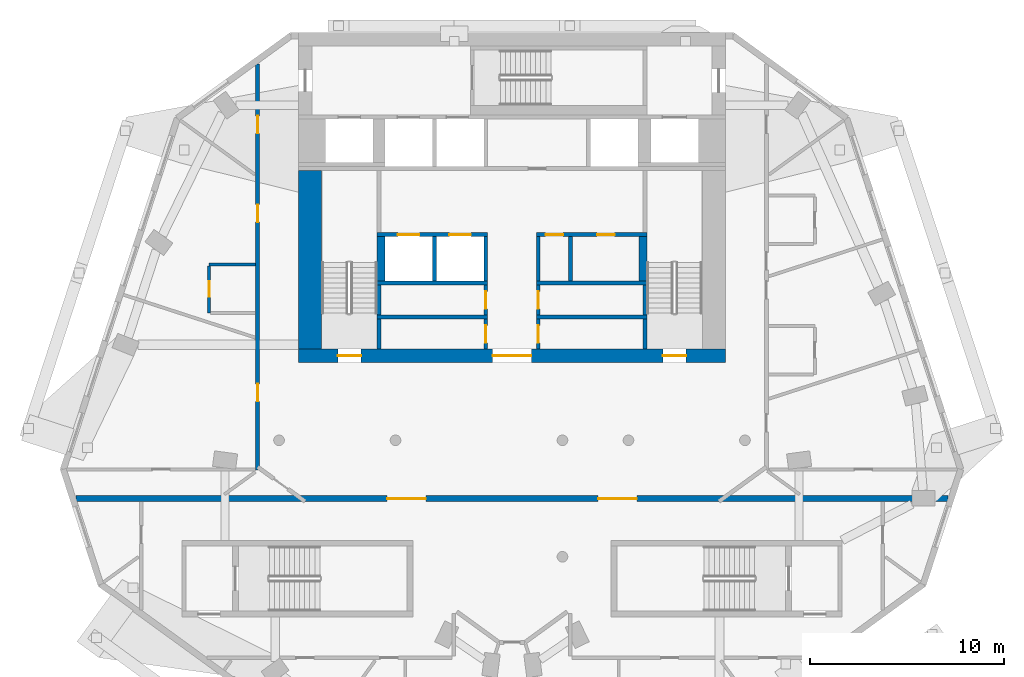
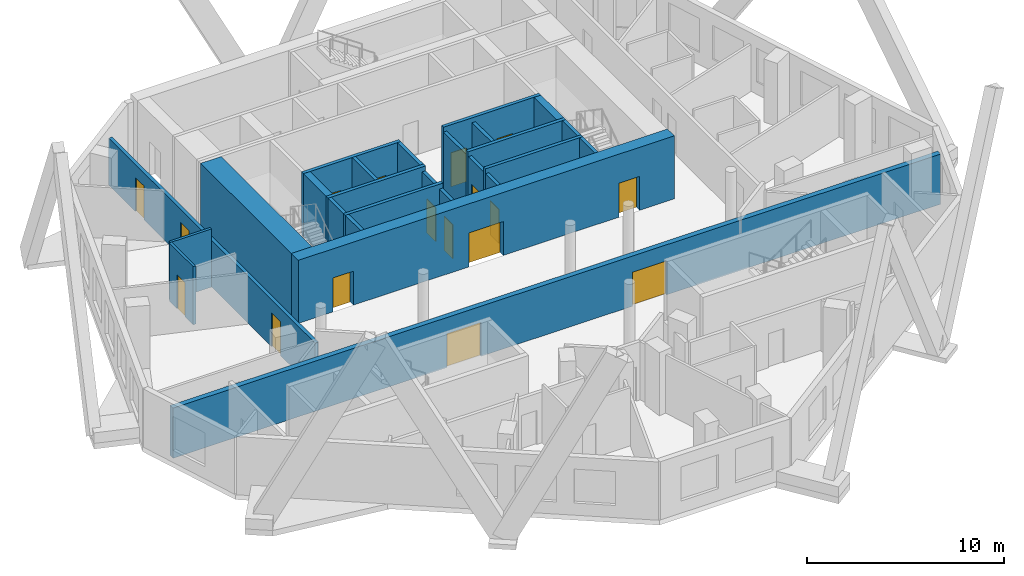
# One storey, part 4 of 9: 26 walls, 17 doors, 17 openings.
"""IFC4 building model written with IfcOpenShell, lengths in metres."""

from ifc_helpers import new_model, si_unit, direction, frame, frame_2d, origin, place, context, subcontext, project, spatial, rectangle, extrude, material, layer, layer_set, type_object, element, fill, save


model = new_model("IFC4")

# Units and contexts
model_context = context("Model", 3, precision=1e-05, world=origin(), true_north=direction((0.0, 1.0)))
body_context = subcontext(model_context, "Body", "Model", "MODEL_VIEW")
ifc_project = project(units=[si_unit("LENGTHUNIT", "METRE"), si_unit("AREAUNIT", "SQUARE_METRE"), si_unit("VOLUMEUNIT", "CUBIC_METRE"), si_unit("PLANEANGLEUNIT", "RADIAN"), si_unit("MASSUNIT", "GRAM", prefix="KILO")], contexts=[model_context])

# Site, building, storey
site_placement = place(None, origin())
site = spatial("IfcSite", under=ifc_project, at=site_placement, CompositionType="ELEMENT")
building_placement = place(site_placement, origin())
building = spatial("IfcBuilding", under=site, at=building_placement, Name="White Candle Pilgrim Tower", CompositionType="ELEMENT")
storey_placement = place(building_placement, frame((0.0, 0.0, 271.699951171875)))
storey = spatial("IfcBuildingStorey", under=building, at=storey_placement, Name="L64", CompositionType="ELEMENT", Elevation=271.699951171875)

# Wall, openings, doors
ifc_material_1 = material(Name="Gypsum board on steel studs", Category="steel")
ifc_layer_1 = layer(ifc_material_1, 0.199951171875)
ifc_layer_set_1 = layer_set([ifc_layer_1], Name="Corridor wall 200 mm EI 45")
wall_type_1 = type_object("IfcWallType", Name="Corridor wall 200 mm EI 45", PredefinedType="PARTITIONING", material=ifc_layer_set_1)
wall_1_placement = place(storey_placement, frame((56.89990234375, 65.476806640625, 0.0), z_axis=(0.0, 0.0, 1.0), x_axis=(0.0, 1.0, 0.0)))
wall_1 = element("IfcWall", 1, at=wall_1_placement, inside=storey, type_object=wall_type_1, Name="WL-L64-P003", PredefinedType="PARTITIONING", context=body_context, shape_type="SweptSolid", body=[
    extrude(rectangle(XDim=20.91943359375, YDim=0.199951171875, at=frame_2d((10.459716796875, 0.0))), origin(), (0.0, 0.0, 1.0), 2.900146484375),
])
opening_1_placement = place(wall_1_placement, frame((3.533935546875, 0.0, 0.0)))
opening_1 = element("IfcOpeningElement", 2, at=opening_1_placement, cuts=wall_1, Name="Opening T20-114", PredefinedType="OPENING", context=body_context, shape_type="SweptSolid", body=[
    extrude(rectangle(XDim=0.89990234375, YDim=2.10009765625, at=frame_2d((0.449951171875, 1.050048828125))), frame((0.0, 0.10986328125, 0.0), z_axis=(0.0, -1.0, 0.0), x_axis=(1.0, 0.0, 0.0)), (0.0, 0.0, 1.0), 0.219970703125),
])
opening_2_placement = place(wall_1_placement, frame((12.76806640625, 0.0, 0.0)))
opening_2 = element("IfcOpeningElement", 3, at=opening_2_placement, cuts=wall_1, Name="Opening T20-115", PredefinedType="OPENING", context=body_context, shape_type="SweptSolid", body=[
    extrude(rectangle(XDim=0.89990234375, YDim=2.10009765625, at=frame_2d((0.449951171875, 1.050048828125))), frame((0.0, 0.10986328125, 0.0), z_axis=(0.0, -1.0, 0.0), x_axis=(1.0, 0.0, 0.0)), (0.0, 0.0, 1.0), 0.219970703125),
])
opening_3_placement = place(wall_1_placement, frame((17.331298828125, 0.0, 0.0)))
opening_3 = element("IfcOpeningElement", 4, at=opening_3_placement, cuts=wall_1, Name="Opening T20-116", PredefinedType="OPENING", context=body_context, shape_type="SweptSolid", body=[
    extrude(rectangle(XDim=0.89990234375, YDim=2.10009765625, at=frame_2d((0.449951171875, 1.050048828125))), frame((0.0, 0.10986328125, 0.0), z_axis=(0.0, -1.0, 0.0), x_axis=(1.0, 0.0, 0.0)), (0.0, 0.0, 1.0), 0.219970703125),
])
ifc_material_2 = material(Name="Steel door leaf", Category="steel")
door_type_1 = type_object("IfcDoorType", Name="Fire door 900 x 2100 EI 30", OperationType="NOTDEFINED", PredefinedType="DOOR", material=ifc_material_2)
door_1_placement = place(opening_1_placement, origin())
door_1 = element("IfcDoor", 5, at=door_1_placement, inside=storey, type_object=door_type_1, Name="Door T20-114", OperationType="SINGLE_SWING_RIGHT", OverallHeight=2.10009765625, OverallWidth=0.89990234375, PredefinedType="DOOR", context=body_context, shape_type="SweptSolid", body=[
    extrude(rectangle(XDim=0.89990234375, YDim=2.10009765625, at=frame_2d((0.449951171875, 1.050048828125))), frame((0.0, 0.02490234375, 0.0), z_axis=(0.0, -1.0, 0.0), x_axis=(1.0, 0.0, 0.0)), (0.0, 0.0, 1.0), 0.050048828125),
])
fill(opening_1, door_1)
door_2_placement = place(opening_2_placement, origin())
door_2 = element("IfcDoor", 6, at=door_2_placement, inside=storey, type_object=door_type_1, Name="Door T20-115", OperationType="SINGLE_SWING_LEFT", OverallHeight=2.10009765625, OverallWidth=0.89990234375, PredefinedType="DOOR", context=body_context, shape_type="SweptSolid", body=[
    extrude(rectangle(XDim=0.89990234375, YDim=2.10009765625, at=frame_2d((0.449951171875, 1.050048828125))), frame((0.0, 0.02490234375, 0.0), z_axis=(0.0, -1.0, 0.0), x_axis=(1.0, 0.0, 0.0)), (0.0, 0.0, 1.0), 0.050048828125),
])
fill(opening_2, door_2)
door_3_placement = place(opening_3_placement, origin())
door_3 = element("IfcDoor", 7, at=door_3_placement, inside=storey, type_object=door_type_1, Name="Door T20-116", OperationType="SINGLE_SWING_RIGHT", OverallHeight=2.10009765625, OverallWidth=0.89990234375, PredefinedType="DOOR", context=body_context, shape_type="SweptSolid", body=[
    extrude(rectangle(XDim=0.89990234375, YDim=2.10009765625, at=frame_2d((0.449951171875, 1.050048828125))), frame((0.0, 0.02490234375, 0.0), z_axis=(0.0, -1.0, 0.0), x_axis=(1.0, 0.0, 0.0)), (0.0, 0.0, 1.0), 0.050048828125),
])
fill(opening_3, door_3)

ifc_material_3 = material(Name="Aerated concrete block", Category="concrete")
ifc_layer_2 = layer(ifc_material_3, 0.300048828125)
ifc_layer_set_2 = layer_set([ifc_layer_2], Name="Fire wall 300 mm REI 240")
wall_type_2 = type_object("IfcWallType", Name="Fire wall 300 mm REI 240", PredefinedType="PARTITIONING", material=ifc_layer_set_2)
wall_2_placement = place(storey_placement, frame((47.54736328125, 64.0, 0.0), z_axis=(0.0, 0.0, 1.0), x_axis=(1.0, 0.0, 0.0)))
wall_2 = element("IfcWall", 8, at=wall_2_placement, inside=storey, type_object=wall_type_2, Name="WL-L64-P001", PredefinedType="PARTITIONING", context=body_context, shape_type="SweptSolid", body=[
    extrude(rectangle(XDim=44.9052734375, YDim=0.300048828125, at=frame_2d((22.45263671875, 0.0))), origin(), (0.0, 0.0, 1.0), 3.10009765625),
])
opening_4_placement = place(wall_2_placement, frame((16.0205078125, 0.0, 0.0)))
opening_4 = element("IfcOpeningElement", 9, at=opening_4_placement, cuts=wall_2, Name="Opening T20-111", PredefinedType="OPENING", context=body_context, shape_type="SweptSolid", body=[
    extrude(rectangle(XDim=2.0, YDim=2.10009765625, at=frame_2d((1.0, 1.050048828125))), frame((0.0, 0.159912109375, 0.0), z_axis=(0.0, -1.0, 0.0), x_axis=(1.0, 0.0, 0.0)), (0.0, 0.0, 1.0), 0.320068359375),
])
opening_5_placement = place(wall_2_placement, frame((26.884765625, 0.0, 0.0)))
opening_5 = element("IfcOpeningElement", 10, at=opening_5_placement, cuts=wall_2, Name="Opening T20-112", PredefinedType="OPENING", context=body_context, shape_type="SweptSolid", body=[
    extrude(rectangle(XDim=2.0, YDim=2.10009765625, at=frame_2d((1.0, 1.050048828125))), frame((0.0, 0.159912109375, 0.0), z_axis=(0.0, -1.0, 0.0), x_axis=(1.0, 0.0, 0.0)), (0.0, 0.0, 1.0), 0.320068359375),
])
door_type_2 = type_object("IfcDoorType", Name="Fire door 2000 x 2100 EI 60", OperationType="NOTDEFINED", PredefinedType="DOOR", material=ifc_material_2)
door_4_placement = place(opening_4_placement, origin())
door_4 = element("IfcDoor", 11, at=door_4_placement, inside=storey, type_object=door_type_2, Name="Door T20-111", OperationType="DOUBLE_DOOR_SINGLE_SWING", OverallHeight=2.10009765625, OverallWidth=2.0, PredefinedType="DOOR", context=body_context, shape_type="SweptSolid", body=[
    extrude(rectangle(XDim=2.0, YDim=2.10009765625, at=frame_2d((1.0, 1.050048828125))), frame((0.0, 0.02490234375, 0.0), z_axis=(0.0, -1.0, 0.0), x_axis=(1.0, 0.0, 0.0)), (0.0, 0.0, 1.0), 0.050048828125),
])
fill(opening_4, door_4)
door_5_placement = place(opening_5_placement, origin())
door_5 = element("IfcDoor", 12, at=door_5_placement, inside=storey, type_object=door_type_2, Name="Door T20-112", OperationType="DOUBLE_DOOR_SINGLE_SWING", OverallHeight=2.10009765625, OverallWidth=2.0, PredefinedType="DOOR", context=body_context, shape_type="SweptSolid", body=[
    extrude(rectangle(XDim=2.0, YDim=2.10009765625, at=frame_2d((1.0, 1.050048828125))), frame((0.0, 0.02490234375, 0.0), z_axis=(0.0, -1.0, 0.0), x_axis=(1.0, 0.0, 0.0)), (0.0, 0.0, 1.0), 0.050048828125),
])
fill(opening_5, door_5)

# Wall, opening, door
ifc_layer_3 = layer(ifc_material_1, 0.199951171875)
ifc_layer_set_3 = layer_set([ifc_layer_3], Name="Lobby wall 200 mm EI 60")
wall_type_3 = type_object("IfcWallType", Name="Lobby wall 200 mm EI 60", PredefinedType="PARTITIONING", material=ifc_layer_set_3)
wall_3_placement = place(storey_placement, frame((68.64990234375, 71.699951171875, 0.0), z_axis=(0.0, 0.0, 1.0), x_axis=(0.0, 1.0, 0.0)))
wall_3 = element("IfcWall", 13, at=wall_3_placement, inside=storey, type_object=wall_type_3, Name="WL-L64-C14", PredefinedType="PARTITIONING", context=body_context, shape_type="SweptSolid", body=[
    extrude(rectangle(XDim=1.550048828125, YDim=0.199951171875, at=frame_2d((0.77490234375, 0.0))), origin(), (0.0, 0.0, 1.0), 3.60009765625),
])
opening_6_placement = place(wall_3_placement, frame((0.324951171875, 0.0, 0.0)))
opening_6 = element("IfcOpeningElement", 14, at=opening_6_placement, cuts=wall_3, Name="Opening T20-005", PredefinedType="OPENING", context=body_context, shape_type="SweptSolid", body=[
    extrude(rectangle(XDim=0.89990234375, YDim=2.10009765625, at=frame_2d((0.449951171875, 1.050048828125))), frame((0.0, 0.10986328125, 0.0), z_axis=(0.0, -1.0, 0.0), x_axis=(1.0, 0.0, 0.0)), (0.0, 0.0, 1.0), 0.219970703125),
])
door_6_placement = place(opening_6_placement, origin())
door_6 = element("IfcDoor", 15, at=door_6_placement, inside=storey, type_object=door_type_1, Name="Door T20-005", OperationType="SINGLE_SWING_LEFT", OverallHeight=2.10009765625, OverallWidth=0.89990234375, PredefinedType="DOOR", context=body_context, shape_type="SweptSolid", body=[
    extrude(rectangle(XDim=0.89990234375, YDim=2.10009765625, at=frame_2d((0.449951171875, 1.050048828125))), frame((0.0, 0.02490234375, 0.0), z_axis=(0.0, -1.0, 0.0), x_axis=(1.0, 0.0, 0.0)), (0.0, 0.0, 1.0), 0.050048828125),
])
fill(opening_6, door_6)

wall_4_placement = place(storey_placement, frame((71.35009765625, 71.699951171875, 0.0), z_axis=(0.0, 0.0, 1.0), x_axis=(0.0, 1.0, 0.0)))
wall_4 = element("IfcWall", 16, at=wall_4_placement, inside=storey, type_object=wall_type_3, Name="WL-L64-C15", PredefinedType="PARTITIONING", context=body_context, shape_type="SweptSolid", body=[
    extrude(rectangle(XDim=1.550048828125, YDim=0.199951171875, at=frame_2d((0.77490234375, 0.0))), origin(), (0.0, 0.0, 1.0), 3.60009765625),
])
opening_7_placement = place(wall_4_placement, frame((0.324951171875, 0.0, 0.0)))
opening_7 = element("IfcOpeningElement", 17, at=opening_7_placement, cuts=wall_4, Name="Opening T20-007", PredefinedType="OPENING", context=body_context, shape_type="SweptSolid", body=[
    extrude(rectangle(XDim=0.89990234375, YDim=2.10009765625, at=frame_2d((0.449951171875, 1.050048828125))), frame((0.0, 0.10986328125, 0.0), z_axis=(0.0, -1.0, 0.0), x_axis=(1.0, 0.0, 0.0)), (0.0, 0.0, 1.0), 0.219970703125),
])
door_7_placement = place(opening_7_placement, origin())
door_7 = element("IfcDoor", 18, at=door_7_placement, inside=storey, type_object=door_type_1, Name="Door T20-007", OperationType="SINGLE_SWING_LEFT", OverallHeight=2.10009765625, OverallWidth=0.89990234375, PredefinedType="DOOR", context=body_context, shape_type="SweptSolid", body=[
    extrude(rectangle(XDim=0.89990234375, YDim=2.10009765625, at=frame_2d((0.449951171875, 1.050048828125))), frame((0.0, 0.02490234375, 0.0), z_axis=(0.0, -1.0, 0.0), x_axis=(1.0, 0.0, 0.0)), (0.0, 0.0, 1.0), 0.050048828125),
])
fill(opening_7, door_7)

wall_5_placement = place(storey_placement, frame((68.64990234375, 73.449951171875, 0.0), z_axis=(0.0, 0.0, 1.0), x_axis=(0.0, 1.0, 0.0)))
wall_5 = element("IfcWall", 19, at=wall_5_placement, inside=storey, type_object=wall_type_3, Name="WL-L64-C21", PredefinedType="PARTITIONING", context=body_context, shape_type="SweptSolid", body=[
    extrude(rectangle(XDim=1.550048828125, YDim=0.199951171875, at=frame_2d((0.77490234375, 0.0))), origin(), (0.0, 0.0, 1.0), 3.60009765625),
])
opening_8_placement = place(wall_5_placement, frame((0.324951171875, 0.0, 0.0)))
opening_8 = element("IfcOpeningElement", 20, at=opening_8_placement, cuts=wall_5, Name="Opening T20-006", PredefinedType="OPENING", context=body_context, shape_type="SweptSolid", body=[
    extrude(rectangle(XDim=0.89990234375, YDim=2.10009765625, at=frame_2d((0.449951171875, 1.050048828125))), frame((0.0, 0.10986328125, 0.0), z_axis=(0.0, -1.0, 0.0), x_axis=(1.0, 0.0, 0.0)), (0.0, 0.0, 1.0), 0.219970703125),
])
door_8_placement = place(opening_8_placement, origin())
door_8 = element("IfcDoor", 21, at=door_8_placement, inside=storey, type_object=door_type_1, Name="Door T20-006", OperationType="SINGLE_SWING_RIGHT", OverallHeight=2.10009765625, OverallWidth=0.89990234375, PredefinedType="DOOR", context=body_context, shape_type="SweptSolid", body=[
    extrude(rectangle(XDim=0.89990234375, YDim=2.10009765625, at=frame_2d((0.449951171875, 1.050048828125))), frame((0.0, 0.02490234375, 0.0), z_axis=(0.0, -1.0, 0.0), x_axis=(1.0, 0.0, 0.0)), (0.0, 0.0, 1.0), 0.050048828125),
])
fill(opening_8, door_8)

wall_6_placement = place(storey_placement, frame((71.35009765625, 73.449951171875, 0.0), z_axis=(0.0, 0.0, 1.0), x_axis=(0.0, 1.0, 0.0)))
wall_6 = element("IfcWall", 22, at=wall_6_placement, inside=storey, type_object=wall_type_3, Name="WL-L64-C22", PredefinedType="PARTITIONING", context=body_context, shape_type="SweptSolid", body=[
    extrude(rectangle(XDim=1.550048828125, YDim=0.199951171875, at=frame_2d((0.77490234375, 0.0))), origin(), (0.0, 0.0, 1.0), 3.60009765625),
])
opening_9_placement = place(wall_6_placement, frame((0.324951171875, 0.0, 0.0)))
opening_9 = element("IfcOpeningElement", 23, at=opening_9_placement, cuts=wall_6, Name="Opening T20-008", PredefinedType="OPENING", context=body_context, shape_type="SweptSolid", body=[
    extrude(rectangle(XDim=0.89990234375, YDim=2.10009765625, at=frame_2d((0.449951171875, 1.050048828125))), frame((0.0, 0.10986328125, 0.0), z_axis=(0.0, -1.0, 0.0), x_axis=(1.0, 0.0, 0.0)), (0.0, 0.0, 1.0), 0.219970703125),
])
door_9_placement = place(opening_9_placement, origin())
door_9 = element("IfcDoor", 24, at=door_9_placement, inside=storey, type_object=door_type_1, Name="Door T20-008", OperationType="SINGLE_SWING_RIGHT", OverallHeight=2.10009765625, OverallWidth=0.89990234375, PredefinedType="DOOR", context=body_context, shape_type="SweptSolid", body=[
    extrude(rectangle(XDim=0.89990234375, YDim=2.10009765625, at=frame_2d((0.449951171875, 1.050048828125))), frame((0.0, 0.02490234375, 0.0), z_axis=(0.0, -1.0, 0.0), x_axis=(1.0, 0.0, 0.0)), (0.0, 0.0, 1.0), 0.050048828125),
])
fill(opening_9, door_9)

# Walls
for number, where, z_axis, x_axis, name in (
    (25, (71.35009765625, 75.199951171875, 0.0), (0.0, 0.0, 1.0), (0.0, 1.0, 0.0), "WL-L64-C29"),
    (26, (73.02001953125, 75.199951171875, 0.0), (0.0, 0.0, 1.0), (0.0, 1.0, 0.0), "WL-L64-C30"),
):
    element("IfcWall", number, at=place(storey_placement, frame(where, z_axis=z_axis, x_axis=x_axis)), inside=storey, type_object=wall_type_3, Name=name, PredefinedType="PARTITIONING", context=body_context, shape_type="SweptSolid", body=[
        extrude(rectangle(XDim=2.300048828125, YDim=0.199951171875, at=frame_2d((1.14990234375, 0.0))), origin(), (0.0, 0.0, 1.0), 3.60009765625),
    ])
ifc_layer_4 = layer(ifc_material_1, 0.14990234375)
ifc_layer_set_4 = layer_set([ifc_layer_4], Name="Partition 150 mm EI 60")
wall_type_4 = type_object("IfcWallType", Name="Partition 150 mm EI 60", PredefinedType="PARTITIONING", material=ifc_layer_set_4)
wall_7_placement = place(storey_placement, frame((56.800048828125, 76.05029296875, 0.0), z_axis=(0.0, 0.0, 1.0), x_axis=(-1.0, 0.0, 0.0)))
element("IfcWall", 27, at=wall_7_placement, inside=storey, type_object=wall_type_4, Name="WL-L64-P026", PredefinedType="PARTITIONING", context=body_context, shape_type="SweptSolid", body=[
    extrude(rectangle(XDim=2.400146484375, YDim=0.14990234375, at=frame_2d((1.2001953125, 0.0))), origin(), (0.0, 0.0, 1.0), 3.60009765625),
])

# Wall, opening, door
wall_8_placement = place(storey_placement, frame((54.39990234375, 73.55029296875, 0.0), z_axis=(0.0, 0.0, 1.0), x_axis=(0.0, 1.0, 0.0)))
wall_8 = element("IfcWall", 28, at=wall_8_placement, inside=storey, type_object=wall_type_4, Name="WL-L64-P027", PredefinedType="PARTITIONING", context=body_context, shape_type="SweptSolid", body=[
    extrude(rectangle(XDim=2.4248046875, YDim=0.14990234375, at=frame_2d((1.21240234375, 0.0))), origin(), (0.0, 0.0, 1.0), 3.60009765625),
])
opening_10_placement = place(wall_8_placement, frame((0.85009765625, 0.0, 0.0)))
opening_10 = element("IfcOpeningElement", 29, at=opening_10_placement, cuts=wall_8, Name="Opening T20-101", PredefinedType="OPENING", context=body_context, shape_type="SweptSolid", body=[
    extrude(rectangle(XDim=0.800048828125, YDim=2.10009765625, at=frame_2d((0.39990234375, 1.050048828125))), frame((0.0, 0.0849609375, 0.0), z_axis=(0.0, -1.0, 0.0), x_axis=(1.0, 0.0, 0.0)), (0.0, 0.0, 1.0), 0.169921875),
])
door_type_3 = type_object("IfcDoorType", Name="Fire door 800 x 2100 EI 30", OperationType="NOTDEFINED", PredefinedType="DOOR", material=ifc_material_2)
door_10_placement = place(opening_10_placement, origin())
door_10 = element("IfcDoor", 30, at=door_10_placement, inside=storey, type_object=door_type_3, Name="Door T20-101", OperationType="SINGLE_SWING_LEFT", OverallHeight=2.10009765625, OverallWidth=0.800048828125, PredefinedType="DOOR", context=body_context, shape_type="SweptSolid", body=[
    extrude(rectangle(XDim=0.800048828125, YDim=2.10009765625, at=frame_2d((0.39990234375, 1.050048828125))), frame((0.0, 0.02490234375, 0.0), z_axis=(0.0, -1.0, 0.0), x_axis=(1.0, 0.0, 0.0)), (0.0, 0.0, 1.0), 0.050048828125),
])
fill(opening_10, door_10)

# Walls
ifc_material_4 = material(Name="Concrete C50/60", Category="concrete")
ifc_layer_5 = layer(ifc_material_4, 0.199951171875)
ifc_layer_set_5 = layer_set([ifc_layer_5], Name="Shaft wall 200 mm Concrete C50/60")
wall_type_5 = type_object("IfcWallType", Name="Shaft wall 200 mm Concrete C50/60", PredefinedType="SHEAR", material=ifc_layer_set_5)
for number, where, z_axis, x_axis, name in (
    (31, (66.0, 75.199951171875, 0.0), (0.0, 0.0, 1.0), (0.0, 1.0, 0.0), "WL-L64-C27"),
    (32, (68.64990234375, 75.199951171875, 0.0), (0.0, 0.0, 1.0), (0.0, 1.0, 0.0), "WL-L64-C28"),
):
    element("IfcWall", number, at=place(storey_placement, frame(where, z_axis=z_axis, x_axis=x_axis)), inside=storey, type_object=wall_type_5, Name=name, PredefinedType="SHEAR", context=body_context, shape_type="SweptSolid", body=[
        extrude(rectangle(XDim=2.300048828125, YDim=0.199951171875, at=frame_2d((1.14990234375, 0.0))), origin(), (0.0, 0.0, 1.0), 3.900146484375),
    ])
ifc_layer_6 = layer(ifc_material_4, 1.199951171875)
ifc_layer_set_6 = layer_set([ifc_layer_6], Name="Stair shaft wall 1200 mm Concrete C50/60")
wall_type_6 = type_object("IfcWallType", Name="Stair shaft wall 1200 mm Concrete C50/60", PredefinedType="SHEAR", material=ifc_layer_set_6)
wall_9_placement = place(storey_placement, frame((59.60009765625, 71.699951171875, 0.0), z_axis=(0.0, 0.0, 1.0), x_axis=(0.0, 1.0, 0.0)))
element("IfcWall", 33, at=wall_9_placement, inside=storey, type_object=wall_type_6, Name="WL-L64-C12", PredefinedType="SHEAR", context=body_context, shape_type="SweptSolid", body=[
    extrude(rectangle(XDim=9.199951171875, YDim=1.199951171875, at=frame_2d((4.60009765625, 0.0))), origin(), (0.0, 0.0, 1.0), 3.900146484375),
])
ifc_layer_7 = layer(ifc_material_4, 0.199951171875)
ifc_layer_set_7 = layer_set([ifc_layer_7], Name="Stair shaft wall 200 mm Concrete C50/60")
wall_type_7 = type_object("IfcWallType", Name="Stair shaft wall 200 mm Concrete C50/60", PredefinedType="SHEAR", material=ifc_layer_set_7)
for number, where, z_axis, x_axis, name in (
    (34, (63.14990234375, 71.699951171875, 0.0), (0.0, 0.0, 1.0), (0.0, 1.0, 0.0), "WL-L64-C13"),
    (35, (76.85009765625, 71.699951171875, 0.0), (0.0, 0.0, 1.0), (0.0, 1.0, 0.0), "WL-L64-C16"),
):
    element("IfcWall", number, at=place(storey_placement, frame(where, z_axis=z_axis, x_axis=x_axis)), inside=storey, type_object=wall_type_7, Name=name, PredefinedType="SHEAR", context=body_context, shape_type="SweptSolid", body=[
        extrude(rectangle(XDim=1.550048828125, YDim=0.199951171875, at=frame_2d((0.77490234375, 0.0))), origin(), (0.0, 0.0, 1.0), 3.900146484375),
    ])
for number, where, z_axis, x_axis, name in (
    (36, (63.050048828125, 73.35009765625, 0.0), (0.0, 0.0, 1.0), (1.0, 0.0, 0.0), "WL-L64-C18"),
    (37, (71.25, 73.35009765625, 0.0), (0.0, 0.0, 1.0), (1.0, 0.0, 0.0), "WL-L64-C19"),
):
    element("IfcWall", number, at=place(storey_placement, frame(where, z_axis=z_axis, x_axis=x_axis)), inside=storey, type_object=wall_type_7, Name=name, PredefinedType="SHEAR", context=body_context, shape_type="SweptSolid", body=[
        extrude(rectangle(XDim=5.699951171875, YDim=0.199951171875, at=frame_2d((2.85009765625, 0.0))), origin(), (0.0, 0.0, 1.0), 3.900146484375),
    ])
for number, where, z_axis, x_axis, name in (
    (38, (63.14990234375, 73.449951171875, 0.0), (0.0, 0.0, 1.0), (0.0, 1.0, 0.0), "WL-L64-C20"),
    (39, (76.85009765625, 73.449951171875, 0.0), (0.0, 0.0, 1.0), (0.0, 1.0, 0.0), "WL-L64-C23"),
):
    element("IfcWall", number, at=place(storey_placement, frame(where, z_axis=z_axis, x_axis=x_axis)), inside=storey, type_object=wall_type_7, Name=name, PredefinedType="SHEAR", context=body_context, shape_type="SweptSolid", body=[
        extrude(rectangle(XDim=1.550048828125, YDim=0.199951171875, at=frame_2d((0.77490234375, 0.0))), origin(), (0.0, 0.0, 1.0), 3.900146484375),
    ])
for number, where, z_axis, x_axis, name in (
    (40, (63.050048828125, 75.10009765625, 0.0), (0.0, 0.0, 1.0), (1.0, 0.0, 0.0), "WL-L64-C24"),
    (41, (71.25, 75.10009765625, 0.0), (0.0, 0.0, 1.0), (1.0, 0.0, 0.0), "WL-L64-C25"),
):
    element("IfcWall", number, at=place(storey_placement, frame(where, z_axis=z_axis, x_axis=x_axis)), inside=storey, type_object=wall_type_7, Name=name, PredefinedType="SHEAR", context=body_context, shape_type="SweptSolid", body=[
        extrude(rectangle(XDim=5.699951171875, YDim=0.199951171875, at=frame_2d((2.85009765625, 0.0))), origin(), (0.0, 0.0, 1.0), 3.900146484375),
    ])

# Wall, openings, doors
wall_10_placement = place(storey_placement, frame((63.050048828125, 77.60009765625, 0.0), z_axis=(0.0, 0.0, 1.0), x_axis=(1.0, 0.0, 0.0)))
wall_10 = element("IfcWall", 42, at=wall_10_placement, inside=storey, type_object=wall_type_7, Name="WL-L64-C32", PredefinedType="SHEAR", context=body_context, shape_type="SweptSolid", body=[
    extrude(rectangle(XDim=5.699951171875, YDim=0.199951171875, at=frame_2d((2.85009765625, 0.0))), origin(), (0.0, 0.0, 1.0), 3.900146484375),
])
opening_11_placement = place(wall_10_placement, frame((1.074951171875, 0.0, 0.0)))
opening_11 = element("IfcOpeningElement", 43, at=opening_11_placement, cuts=wall_10, Name="Opening T20-015", PredefinedType="OPENING", context=body_context, shape_type="SweptSolid", body=[
    extrude(rectangle(XDim=1.10009765625, YDim=2.10009765625, at=frame_2d((0.550048828125, 1.050048828125))), frame((0.0, 0.10986328125, 0.0), z_axis=(0.0, -1.0, 0.0), x_axis=(1.0, 0.0, 0.0)), (0.0, 0.0, 1.0), 0.219970703125),
])
opening_12_placement = place(wall_10_placement, frame((3.72509765625, 0.0, 0.0)))
opening_12 = element("IfcOpeningElement", 44, at=opening_12_placement, cuts=wall_10, Name="Opening T20-016", PredefinedType="OPENING", context=body_context, shape_type="SweptSolid", body=[
    extrude(rectangle(XDim=1.10009765625, YDim=2.10009765625, at=frame_2d((0.550048828125, 1.050048828125))), frame((0.0, 0.10986328125, 0.0), z_axis=(0.0, -1.0, 0.0), x_axis=(1.0, 0.0, 0.0)), (0.0, 0.0, 1.0), 0.219970703125),
])
ifc_material_5 = material(Name="Stainless steel", Category="steel")
door_type_4 = type_object("IfcDoorType", Name="Lift landing door 1100 x 2100 E 60", OperationType="DOUBLE_DOOR_SLIDING", PredefinedType="DOOR", material=ifc_material_5)
door_11_placement = place(opening_11_placement, origin())
door_11 = element("IfcDoor", 45, at=door_11_placement, inside=storey, type_object=door_type_4, Name="Door T20-015", OperationType="DOUBLE_DOOR_SLIDING", OverallHeight=2.10009765625, OverallWidth=1.10009765625, PredefinedType="DOOR", context=body_context, shape_type="SweptSolid", body=[
    extrude(rectangle(XDim=1.10009765625, YDim=2.10009765625, at=frame_2d((0.550048828125, 1.050048828125))), frame((0.0, 0.02490234375, 0.0), z_axis=(0.0, -1.0, 0.0), x_axis=(1.0, 0.0, 0.0)), (0.0, 0.0, 1.0), 0.050048828125),
])
fill(opening_11, door_11)
door_12_placement = place(opening_12_placement, origin())
door_12 = element("IfcDoor", 46, at=door_12_placement, inside=storey, type_object=door_type_4, Name="Door T20-016", OperationType="DOUBLE_DOOR_SLIDING", OverallHeight=2.10009765625, OverallWidth=1.10009765625, PredefinedType="DOOR", context=body_context, shape_type="SweptSolid", body=[
    extrude(rectangle(XDim=1.10009765625, YDim=2.10009765625, at=frame_2d((0.550048828125, 1.050048828125))), frame((0.0, 0.02490234375, 0.0), z_axis=(0.0, -1.0, 0.0), x_axis=(1.0, 0.0, 0.0)), (0.0, 0.0, 1.0), 0.050048828125),
])
fill(opening_12, door_12)

wall_11_placement = place(storey_placement, frame((71.25, 77.60009765625, 0.0), z_axis=(0.0, 0.0, 1.0), x_axis=(1.0, 0.0, 0.0)))
wall_11 = element("IfcWall", 47, at=wall_11_placement, inside=storey, type_object=wall_type_7, Name="WL-L64-C33", PredefinedType="SHEAR", context=body_context, shape_type="SweptSolid", body=[
    extrude(rectangle(XDim=5.699951171875, YDim=0.199951171875, at=frame_2d((2.85009765625, 0.0))), origin(), (0.0, 0.0, 1.0), 3.900146484375),
])
opening_13_placement = place(wall_11_placement, frame((0.485107421875, 0.0, 0.0)))
opening_13 = element("IfcOpeningElement", 48, at=opening_13_placement, cuts=wall_11, Name="Opening T20-021", PredefinedType="OPENING", context=body_context, shape_type="SweptSolid", body=[
    extrude(rectangle(XDim=0.89990234375, YDim=2.10009765625, at=frame_2d((0.449951171875, 1.050048828125))), frame((0.0, 0.10986328125, 0.0), z_axis=(0.0, -1.0, 0.0), x_axis=(1.0, 0.0, 0.0)), (0.0, 0.0, 1.0), 0.219970703125),
])
opening_14_placement = place(wall_11_placement, frame((3.135009765625, 0.0, 0.0)))
opening_14 = element("IfcOpeningElement", 49, at=opening_14_placement, cuts=wall_11, Name="Opening T20-022", PredefinedType="OPENING", context=body_context, shape_type="SweptSolid", body=[
    extrude(rectangle(XDim=0.89990234375, YDim=2.10009765625, at=frame_2d((0.449951171875, 1.050048828125))), frame((0.0, 0.10986328125, 0.0), z_axis=(0.0, -1.0, 0.0), x_axis=(1.0, 0.0, 0.0)), (0.0, 0.0, 1.0), 0.219970703125),
])
door_13_placement = place(opening_13_placement, origin())
door_13 = element("IfcDoor", 50, at=door_13_placement, inside=storey, type_object=door_type_1, Name="Door T20-021", OperationType="SINGLE_SWING_LEFT", OverallHeight=2.10009765625, OverallWidth=0.89990234375, PredefinedType="DOOR", context=body_context, shape_type="SweptSolid", body=[
    extrude(rectangle(XDim=0.89990234375, YDim=2.10009765625, at=frame_2d((0.449951171875, 1.050048828125))), frame((0.0, 0.02490234375, 0.0), z_axis=(0.0, -1.0, 0.0), x_axis=(1.0, 0.0, 0.0)), (0.0, 0.0, 1.0), 0.050048828125),
])
fill(opening_13, door_13)
door_14_placement = place(opening_14_placement, origin())
door_14 = element("IfcDoor", 51, at=door_14_placement, inside=storey, type_object=door_type_1, Name="Door T20-022", OperationType="SINGLE_SWING_RIGHT", OverallHeight=2.10009765625, OverallWidth=0.89990234375, PredefinedType="DOOR", context=body_context, shape_type="SweptSolid", body=[
    extrude(rectangle(XDim=0.89990234375, YDim=2.10009765625, at=frame_2d((0.449951171875, 1.050048828125))), frame((0.0, 0.02490234375, 0.0), z_axis=(0.0, -1.0, 0.0), x_axis=(1.0, 0.0, 0.0)), (0.0, 0.0, 1.0), 0.050048828125),
])
fill(opening_14, door_14)

# Walls
ifc_layer_8 = layer(ifc_material_4, 0.39990234375)
ifc_layer_set_8 = layer_set([ifc_layer_8], Name="Stair shaft wall 400 mm Concrete C50/60")
wall_type_8 = type_object("IfcWallType", Name="Stair shaft wall 400 mm Concrete C50/60", PredefinedType="SHEAR", material=ifc_layer_set_8)
for number, where, z_axis, x_axis, name in (
    (52, (63.25, 75.199951171875, 0.0), (0.0, 0.0, 1.0), (0.0, 1.0, 0.0), "WL-L64-C26"),
    (53, (76.75, 75.199951171875, 0.0), (0.0, 0.0, 1.0), (0.0, 1.0, 0.0), "WL-L64-C31"),
):
    element("IfcWall", number, at=place(storey_placement, frame(where, z_axis=z_axis, x_axis=x_axis)), inside=storey, type_object=wall_type_8, Name=name, PredefinedType="SHEAR", context=body_context, shape_type="SweptSolid", body=[
        extrude(rectangle(XDim=2.300048828125, YDim=0.39990234375, at=frame_2d((1.14990234375, 0.0))), origin(), (0.0, 0.0, 1.0), 3.900146484375),
    ])

# Wall, openings, doors
ifc_layer_9 = layer(ifc_material_4, 0.699951171875)
ifc_layer_set_9 = layer_set([ifc_layer_9], Name="Stair shaft wall 700 mm Concrete C50/60")
wall_type_9 = type_object("IfcWallType", Name="Stair shaft wall 700 mm Concrete C50/60", PredefinedType="SHEAR", material=ifc_layer_set_9)
wall_12_placement = place(storey_placement, frame((59.0, 71.35009765625, 0.0), z_axis=(0.0, 0.0, 1.0), x_axis=(1.0, 0.0, 0.0)))
wall_12 = element("IfcWall", 54, at=wall_12_placement, inside=storey, type_object=wall_type_9, Name="WL-L64-C11", PredefinedType="SHEAR", context=body_context, shape_type="SweptSolid", body=[
    extrude(rectangle(XDim=22.0, YDim=0.699951171875, at=frame_2d((11.0, 0.0))), origin(), (0.0, 0.0, 1.0), 3.900146484375),
])
opening_15_placement = place(wall_12_placement, frame((2.02490234375, 0.0, 0.0)))
opening_15 = element("IfcOpeningElement", 55, at=opening_15_placement, cuts=wall_12, Name="Opening T20-001", PredefinedType="OPENING", context=body_context, shape_type="SweptSolid", body=[
    extrude(rectangle(XDim=1.199951171875, YDim=2.10009765625, at=frame_2d((0.60009765625, 1.050048828125))), frame((0.0, 0.35986328125, 0.0), z_axis=(0.0, -1.0, 0.0), x_axis=(1.0, 0.0, 0.0)), (0.0, 0.0, 1.0), 0.719970703125),
])
opening_16_placement = place(wall_12_placement, frame((18.77490234375, 0.0, 0.0)))
opening_16 = element("IfcOpeningElement", 56, at=opening_16_placement, cuts=wall_12, Name="Opening T20-002", PredefinedType="OPENING", context=body_context, shape_type="SweptSolid", body=[
    extrude(rectangle(XDim=1.199951171875, YDim=2.10009765625, at=frame_2d((0.60009765625, 1.050048828125))), frame((0.0, 0.35986328125, 0.0), z_axis=(0.0, -1.0, 0.0), x_axis=(1.0, 0.0, 0.0)), (0.0, 0.0, 1.0), 0.719970703125),
])
opening_17_placement = place(wall_12_placement, frame((10.0, 0.0, 0.0)))
opening_17 = element("IfcOpeningElement", 57, at=opening_17_placement, cuts=wall_12, Name="Opening T20-004", PredefinedType="OPENING", context=body_context, shape_type="SweptSolid", body=[
    extrude(rectangle(XDim=2.0, YDim=2.10009765625, at=frame_2d((1.0, 1.050048828125))), frame((0.0, 0.35986328125, 0.0), z_axis=(0.0, -1.0, 0.0), x_axis=(1.0, 0.0, 0.0)), (0.0, 0.0, 1.0), 0.719970703125),
])
door_type_5 = type_object("IfcDoorType", Name="Fire door 1200 x 2100 EI 60", OperationType="NOTDEFINED", PredefinedType="DOOR", material=ifc_material_2)
door_15_placement = place(opening_15_placement, frame((1.199951171875, 0.0, 0.0), z_axis=(0.0, 0.0, 1.0), x_axis=(-1.0, 0.0, 0.0)))
door_15 = element("IfcDoor", 58, at=door_15_placement, inside=storey, type_object=door_type_5, Name="Door T20-001", OperationType="SINGLE_SWING_RIGHT", OverallHeight=2.10009765625, OverallWidth=1.199951171875, PredefinedType="DOOR", context=body_context, shape_type="SweptSolid", body=[
    extrude(rectangle(XDim=1.199951171875, YDim=2.10009765625, at=frame_2d((0.60009765625, 1.050048828125))), frame((0.0, 0.02490234375, 0.0), z_axis=(0.0, -1.0, 0.0), x_axis=(1.0, 0.0, 0.0)), (0.0, 0.0, 1.0), 0.050048828125),
])
fill(opening_15, door_15)
door_16_placement = place(opening_16_placement, frame((1.199951171875, 0.0, 0.0), z_axis=(0.0, 0.0, 1.0), x_axis=(-1.0, 0.0, 0.0)))
door_16 = element("IfcDoor", 59, at=door_16_placement, inside=storey, type_object=door_type_5, Name="Door T20-002", OperationType="SINGLE_SWING_LEFT", OverallHeight=2.10009765625, OverallWidth=1.199951171875, PredefinedType="DOOR", context=body_context, shape_type="SweptSolid", body=[
    extrude(rectangle(XDim=1.199951171875, YDim=2.10009765625, at=frame_2d((0.60009765625, 1.050048828125))), frame((0.0, 0.02490234375, 0.0), z_axis=(0.0, -1.0, 0.0), x_axis=(1.0, 0.0, 0.0)), (0.0, 0.0, 1.0), 0.050048828125),
])
fill(opening_16, door_16)
door_17_placement = place(opening_17_placement, frame((2.0, 0.0, 0.0), z_axis=(0.0, 0.0, 1.0), x_axis=(-1.0, 0.0, 0.0)))
door_17 = element("IfcDoor", 60, at=door_17_placement, inside=storey, type_object=door_type_2, Name="Door T20-004", OperationType="DOUBLE_DOOR_SINGLE_SWING", OverallHeight=2.10009765625, OverallWidth=2.0, PredefinedType="DOOR", context=body_context, shape_type="SweptSolid", body=[
    extrude(rectangle(XDim=2.0, YDim=2.10009765625, at=frame_2d((1.0, 1.050048828125))), frame((0.0, 0.02490234375, 0.0), z_axis=(0.0, -1.0, 0.0), x_axis=(1.0, 0.0, 0.0)), (0.0, 0.0, 1.0), 0.050048828125),
])
fill(opening_17, door_17)

save(model, "model.ifc")
